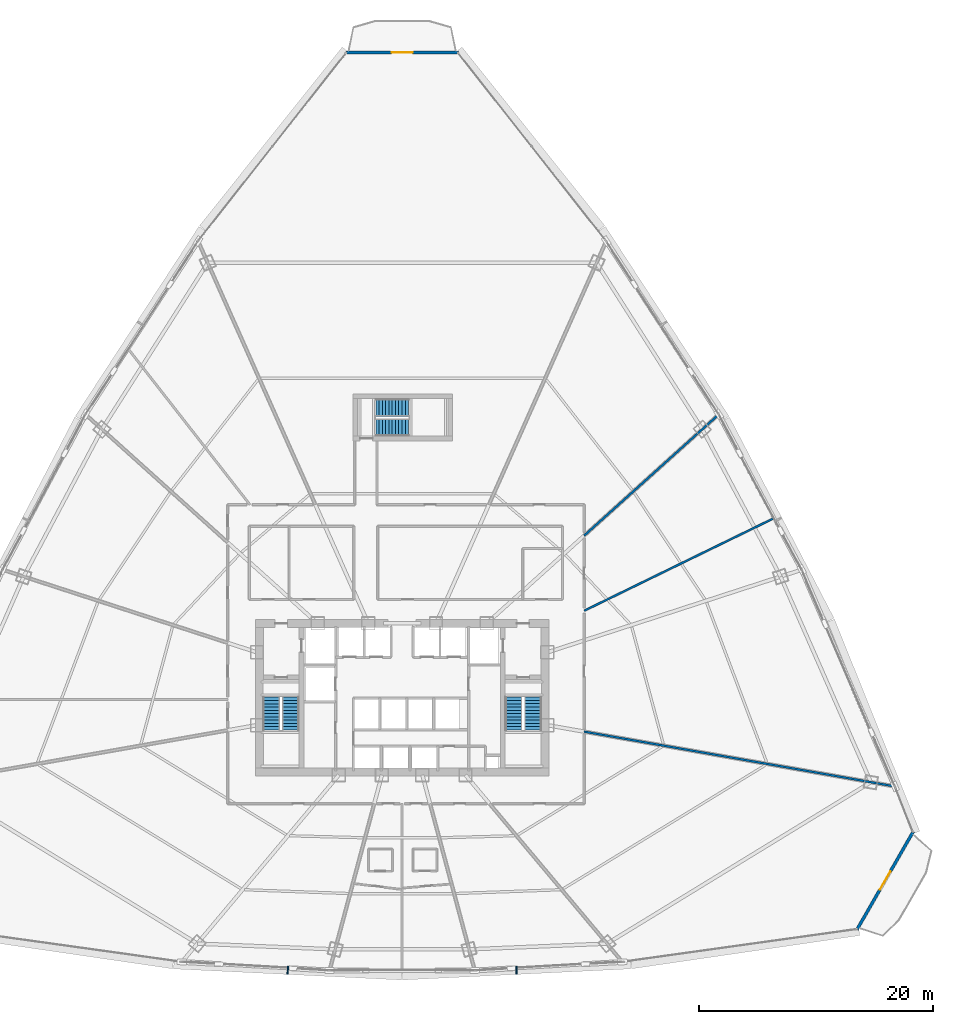
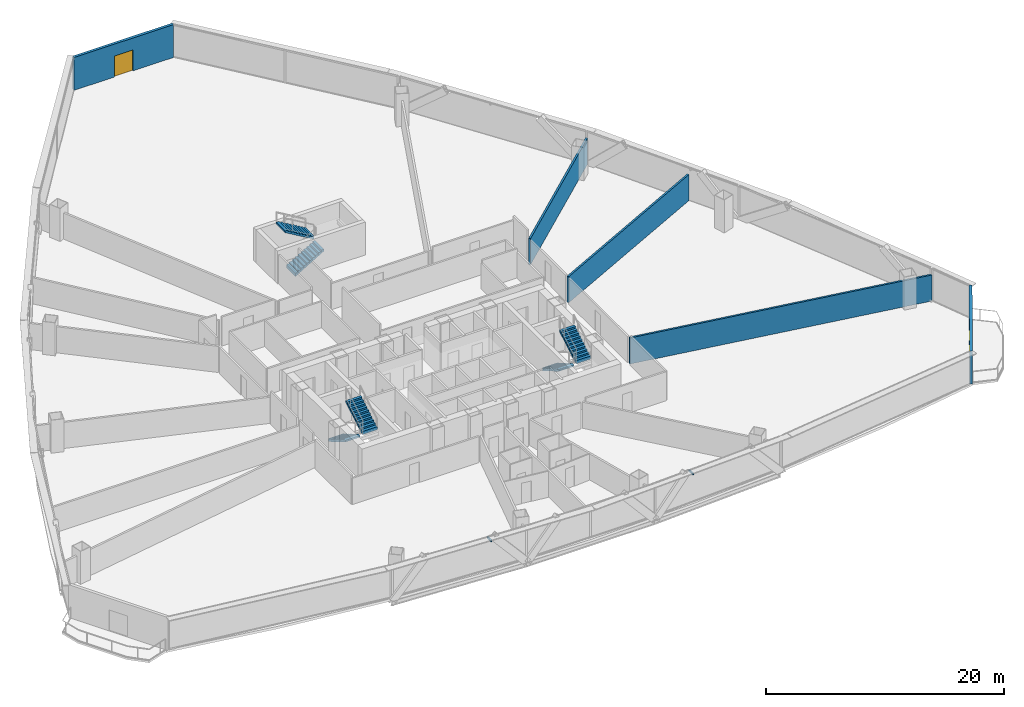
# One storey, part 33 of 38: 6 stair flights, 5 walls, 2 discrete accessories, 2 doors, 2 openings, 3 elements without a shape of their own.
"""IFC4 building model written with IfcOpenShell, lengths in metres."""

from ifc_helpers import new_model, si_unit, direction, frame, frame_2d, origin, origin_with_axes, origin_2d, place, context, subcontext, project, spatial, polyline, rectangle, outline, extrude, source, transform, mapped, material, layer, layer_set, type_object, element, fill, aggregate, save


model = new_model("IFC4")

# Units and contexts
model_context = context("Model", 3, precision=1e-05, world=origin(), true_north=direction((0.0, 1.0)))
body_context = subcontext(model_context, "Body", "Model", "MODEL_VIEW")
ifc_project = project(units=[si_unit("LENGTHUNIT", "METRE"), si_unit("AREAUNIT", "SQUARE_METRE"), si_unit("VOLUMEUNIT", "CUBIC_METRE"), si_unit("PLANEANGLEUNIT", "RADIAN"), si_unit("MASSUNIT", "GRAM", prefix="KILO"), si_unit("THERMODYNAMICTEMPERATUREUNIT", "KELVIN"), si_unit("POWERUNIT", "WATT")], contexts=[model_context])

# Site, building, storey
site_placement = place(None, origin())
site = spatial("IfcSite", under=ifc_project, at=site_placement, CompositionType="ELEMENT")
building_placement = place(site_placement, origin())
building = spatial("IfcBuilding", under=site, at=building_placement, Name="Yunzhuo Pagoda Commons", CompositionType="ELEMENT")
storey_placement = place(building_placement, frame((0.0, 0.0, 34.030029296875)))
storey = spatial("IfcBuildingStorey", under=building, at=storey_placement, Name="L08", CompositionType="ELEMENT", Elevation=34.030029296875)

# Wall, opening, door
ifc_material_1 = material(Name="Precast concrete C40", Category="concrete")
ifc_layer_1 = layer(ifc_material_1, 0.260009765625)
ifc_layer_set_1 = layer_set([ifc_layer_1], Name="Precast concrete C40")
wall_type_1 = type_object("IfcWallType", Name="W-BAL1 Corner Balcony Threshold Wall 260", PredefinedType="STANDARD", material=ifc_layer_set_1)
wall_1_placement = place(storey_placement, frame((86.857666015625, 14.03466796875, 0.0), z_axis=(0.0, 0.0, 1.0), x_axis=(0.497938580997, 0.867212297857, 0.0)))
wall_1 = element("IfcWall", 1, at=wall_1_placement, inside=storey, type_object=wall_type_1, Name="L08 corner balcony wall V2", PredefinedType="STANDARD", context=body_context, shape_type="SweptSolid", body=[
    extrude(rectangle(XDim=9.665771484375, YDim=0.260009765625, at=frame_2d((4.8330078125, 0.0))), origin(), (0.0, 0.0, 1.0), 3.369873046875),
])
opening_1_placement = place(wall_1_placement, frame((3.93310546875, 0.0, 0.0)))
opening_1 = element("IfcOpeningElement", 2, at=opening_1_placement, cuts=wall_1, Name="Opening D-BAL1", PredefinedType="OPENING", context=body_context, shape_type="SweptSolid", body=[
    extrude(rectangle(XDim=1.800048828125, YDim=2.14990234375, at=frame_2d((0.89990234375, 1.074951171875))), frame((0.0, 0.14013671875, 0.0), z_axis=(0.0, -1.0, 0.0), x_axis=(1.0, 0.0, 0.0)), (0.0, 0.0, 1.0), 0.280029296875),
])
ifc_material_2 = material(Name="Anodized aluminium frame and tempered glazed leaf", Category="aluminium")
door_type = type_object("IfcDoorType", Name="D-BAL1 Corner Balcony Sliding Glazed Door 1800x2150", OperationType="DOUBLE_DOOR_SLIDING", PredefinedType="DOOR", material=ifc_material_2)
shared_shape_1 = source(origin(), body_context, "Body", "SweptSolid", [
    extrude(rectangle(XDim=1.800048828125, YDim=2.14990234375, at=frame_2d((0.89990234375, 1.074951171875))), frame((0.0, 0.02490234375, 0.0), z_axis=(0.0, -1.0, 0.0), x_axis=(1.0, 0.0, 0.0)), (0.0, 0.0, 1.0), 0.050048828125),
])
door_1_placement = place(opening_1_placement, origin_with_axes())
door_1 = element("IfcDoor", 3, at=door_1_placement, inside=storey, type_object=door_type, Name="L08 corner balcony sliding door V2", OperationType="DOUBLE_DOOR_SLIDING", OverallHeight=2.14990234375, OverallWidth=1.800048828125, PredefinedType="DOOR", context=body_context, shape_type="MappedRepresentation", body=[
    mapped(shared_shape_1, transform((0.0, 0.0, 0.0), scale=1.0)),
])
fill(opening_1, door_1)

wall_2_placement = place(storey_placement, frame((52.813720703125, 88.980712890625, 0.0), z_axis=(0.0, 0.0, 1.0), x_axis=(-1.0, 0.0, 0.0)))
wall_2 = element("IfcWall", 4, at=wall_2_placement, inside=storey, type_object=wall_type_1, Name="L08 corner balcony wall V3", PredefinedType="STANDARD", context=body_context, shape_type="SweptSolid", body=[
    extrude(rectangle(XDim=9.62744140625, YDim=0.260009765625, at=frame_2d((4.813720703125, 0.0))), origin(), (0.0, 0.0, 1.0), 3.369873046875),
])
opening_2_placement = place(wall_2_placement, frame((3.91357421875, 0.0, 0.0)))
opening_2 = element("IfcOpeningElement", 5, at=opening_2_placement, cuts=wall_2, Name="Opening D-BAL1", PredefinedType="OPENING", context=body_context, shape_type="SweptSolid", body=[
    extrude(rectangle(XDim=1.800048828125, YDim=2.14990234375, at=frame_2d((0.89990234375, 1.074951171875))), frame((0.0, 0.14013671875, 0.0), z_axis=(0.0, -1.0, 0.0), x_axis=(1.0, 0.0, 0.0)), (0.0, 0.0, 1.0), 0.280029296875),
])
door_2_placement = place(opening_2_placement, origin_with_axes())
door_2 = element("IfcDoor", 6, at=door_2_placement, inside=storey, type_object=door_type, Name="L08 corner balcony sliding door V3", OperationType="DOUBLE_DOOR_SLIDING", OverallHeight=2.14990234375, OverallWidth=1.800048828125, PredefinedType="DOOR", context=body_context, shape_type="MappedRepresentation", body=[
    mapped(shared_shape_1, transform((0.0, 0.0, 0.0), scale=1.0)),
])
fill(opening_2, door_2)

# Walls
ifc_material_3 = material(Name="Gypsum plasterboard on acoustic stud")
ifc_layer_2 = layer(ifc_material_3, 0.179931640625)
ifc_layer_set_2 = layer_set([ifc_layer_2], Name="Gypsum plasterboard on acoustic stud")
wall_type_2 = type_object("IfcWallType", Name="W-PRT2 Acoustic Unit Demising Wall 180", PredefinedType="PARTITIONING", material=ifc_layer_set_2)
wall_3_placement = place(storey_placement, frame((63.550048828125, 41.2841796875, 0.0), z_axis=(0.0, 0.0, 1.0), x_axis=(0.898792344086, 0.438374636825, 0.0)))
element("IfcWall", 7, at=wall_3_placement, inside=storey, type_object=wall_type_2, Name="L08 interior wall IW-L08-RAD01", PredefinedType="PARTITIONING", context=body_context, shape_type="SweptSolid", body=[
    extrude(rectangle(XDim=18.064453125, YDim=0.179931640625, at=frame_2d((9.0322265625, 0.0))), origin(), (0.0, 0.0, 1.0), 2.669921875),
])
wall_4_placement = place(storey_placement, frame((63.550048828125, 47.701416015625, 0.0), z_axis=(0.0, 0.0, 1.0), x_axis=(0.743145159556, 0.669130235326, 0.0)))
element("IfcWall", 8, at=wall_4_placement, inside=storey, type_object=wall_type_2, Name="L08 interior wall IW-L08-RAD02", PredefinedType="PARTITIONING", context=body_context, shape_type="SweptSolid", body=[
    extrude(rectangle(XDim=15.4833984375, YDim=0.179931640625, at=frame_2d((7.74169921875, 0.0))), origin(), (0.0, 0.0, 1.0), 2.669921875),
])
wall_5_placement = place(storey_placement, frame((63.550048828125, 30.9580078125, 0.0), z_axis=(0.0, 0.0, 1.0), x_axis=(0.984807983054, -0.17364687303, 0.0)))
element("IfcWall", 9, at=wall_5_placement, inside=storey, type_object=wall_type_2, Name="L08 interior wall IW-L08-RAD14", PredefinedType="PARTITIONING", context=body_context, shape_type="SweptSolid", body=[
    extrude(rectangle(XDim=26.957763671875, YDim=0.179931640625, at=frame_2d((13.47900390625, 0.0))), origin(), (0.0, 0.0, 1.0), 2.669921875),
])

# Stair, stair flights
ifc_material_4 = material(Name="Concrete C40", Category="concrete")
stair_type_1 = type_object("IfcStairType", Name="ST-C1 Core Smokeproof Stair ST1", PredefinedType="HALF_TURN_STAIR", material=ifc_material_4)
stair_1_placement = place(storey_placement, origin())
stair_1 = element("IfcStair", 10, at=stair_1_placement, inside=storey, type_object=stair_type_1, Name="L08 Core smokeproof stair ST1", PredefinedType="HALF_TURN_STAIR")
stair_flight_type_1 = type_object("IfcStairFlightType", Name="STF-C1 Core Stair Flight 1450", PredefinedType="STRAIGHT", material=ifc_material_4)
shared_shape_2 = source(origin(), body_context, "Body", "SweptSolid", [
    extrude(outline(polyline([(0.0, -0.14990234375), (0.0, 0.0), (0.0, 0.1650390625), (0.280029296875, 0.1650390625), (0.280029296875, 0.330078125), (0.56005859375, 0.330078125), (0.56005859375, 0.4951171875), (0.840087890625, 0.4951171875), (0.840087890625, 0.659912109375), (1.1201171875, 0.659912109375), (1.1201171875, 0.824951171875), (1.39990234375, 0.824951171875), (1.39990234375, 0.989990234375), (1.679931640625, 0.989990234375), (1.679931640625, 1.155029296875), (1.9599609375, 1.155029296875), (1.9599609375, 1.320068359375), (2.239990234375, 1.320068359375), (2.239990234375, 1.485107421875), (2.52001953125, 1.485107421875), (2.52001953125, 1.64990234375), (2.800048828125, 1.64990234375), (2.800048828125, 1.81494140625), (2.800048828125, 1.47607421875), (0.295166015625, 0.0), (0.050048828125, -0.14990234375), (0.0, -0.14990234375)])), frame((0.0, 0.72509765625, 0.0), z_axis=(0.0, -1.0, 0.0), x_axis=(1.0, 0.0, 0.0)), (0.0, 0.0, 1.0), 1.449951171875),
])
stair_flight_1_placement = place(storey_placement, frame((36.824951171875, 33.89990234375, 0.0), z_axis=(0.0, 0.0, 1.0), x_axis=(0.0, -1.0, 0.0)))
stair_flight_1 = element("IfcStairFlight", 11, at=stair_flight_1_placement, type_object=stair_flight_type_1, Name="ST1 flight 1", NumberOfRisers=11, NumberOfTreads=10, PredefinedType="STRAIGHT", RiserHeight=0.165, TreadLength=0.28, context=body_context, shape_type="MappedRepresentation", body=[
    mapped(shared_shape_2, transform((0.0, 0.0, 0.0), scale=1.0)),
])
stair_flight_2_placement = place(storey_placement, frame((38.47509765625, 31.10009765625, 1.81494140625), z_axis=(0.0, 0.0, 1.0), x_axis=(0.0, 1.0, 0.0)))
stair_flight_2 = element("IfcStairFlight", 12, at=stair_flight_2_placement, type_object=stair_flight_type_1, Name="ST1 flight 2", NumberOfRisers=11, NumberOfTreads=10, PredefinedType="STRAIGHT", RiserHeight=0.165, TreadLength=0.28, context=body_context, shape_type="MappedRepresentation", body=[
    mapped(shared_shape_2, transform((0.0, 0.0, 0.0), scale=1.0)),
])
aggregate(stair_1, [stair_flight_1, stair_flight_2])

stair_type_2 = type_object("IfcStairType", Name="ST-C2 Core Smokeproof Stair ST2", PredefinedType="HALF_TURN_STAIR", material=ifc_material_4)
stair_2_placement = place(storey_placement, origin())
stair_2 = element("IfcStair", 13, at=stair_2_placement, inside=storey, type_object=stair_type_2, Name="L08 Core smokeproof stair ST2", PredefinedType="HALF_TURN_STAIR")
stair_flight_type_2 = type_object("IfcStairFlightType", Name="STF-C2 Core Stair Flight 1460", PredefinedType="STRAIGHT", material=ifc_material_4)
stair_flight_3_placement = place(storey_placement, frame((57.52490234375, 33.89990234375, 0.0), z_axis=(0.0, 0.0, 1.0), x_axis=(0.0, -1.0, 0.0)))
stair_flight_3 = element("IfcStairFlight", 14, at=stair_flight_3_placement, type_object=stair_flight_type_2, Name="ST2 flight 1", NumberOfRisers=11, NumberOfTreads=10, PredefinedType="STRAIGHT", RiserHeight=0.165, TreadLength=0.28, context=body_context, shape_type="MappedRepresentation", body=[
    mapped(shared_shape_2, transform((0.0, 0.0, 0.0), scale=1.0)),
])
stair_flight_4_placement = place(storey_placement, frame((59.175048828125, 31.10009765625, 1.81494140625), z_axis=(0.0, 0.0, 1.0), x_axis=(0.0, 1.0, 0.0)))
stair_flight_4 = element("IfcStairFlight", 15, at=stair_flight_4_placement, type_object=stair_flight_type_2, Name="ST2 flight 2", NumberOfRisers=11, NumberOfTreads=10, PredefinedType="STRAIGHT", RiserHeight=0.165, TreadLength=0.28, context=body_context, shape_type="MappedRepresentation", body=[
    mapped(shared_shape_2, transform((0.0, 0.0, 0.0), scale=1.0)),
])
aggregate(stair_2, [stair_flight_3, stair_flight_4])

stair_type_3 = type_object("IfcStairType", Name="ST-C3 North Tower Smokeproof Stair ST3", PredefinedType="HALF_TURN_STAIR", material=ifc_material_4)
stair_3_placement = place(storey_placement, origin())
stair_3 = element("IfcStair", 16, at=stair_3_placement, inside=storey, type_object=stair_type_3, Name="L08 North tower smokeproof stair ST3", PredefinedType="HALF_TURN_STAIR")
stair_flight_type_3 = type_object("IfcStairFlightType", Name="STF-C3 North Stair Flight 1500", PredefinedType="STRAIGHT", material=ifc_material_4)
shared_shape_3 = source(origin(), body_context, "Body", "SweptSolid", [
    extrude(outline(polyline([(0.0, -0.14990234375), (0.0, 0.0), (0.0, 0.1650390625), (0.280029296875, 0.1650390625), (0.280029296875, 0.330078125), (0.56005859375, 0.330078125), (0.56005859375, 0.4951171875), (0.840087890625, 0.4951171875), (0.840087890625, 0.659912109375), (1.1201171875, 0.659912109375), (1.1201171875, 0.824951171875), (1.39990234375, 0.824951171875), (1.39990234375, 0.989990234375), (1.679931640625, 0.989990234375), (1.679931640625, 1.155029296875), (1.9599609375, 1.155029296875), (1.9599609375, 1.320068359375), (2.239990234375, 1.320068359375), (2.239990234375, 1.485107421875), (2.52001953125, 1.485107421875), (2.52001953125, 1.64990234375), (2.800048828125, 1.64990234375), (2.800048828125, 1.81494140625), (2.800048828125, 1.47607421875), (0.295166015625, 0.0), (0.050048828125, -0.14990234375), (0.0, -0.14990234375)])), frame((0.0, 0.75, 0.0), z_axis=(0.0, -1.0, 0.0), x_axis=(1.0, 0.0, 0.0)), (0.0, 0.0, 1.0), 1.5),
])
stair_flight_5_placement = place(storey_placement, frame((45.75, 56.949951171875, 0.0), z_axis=(0.0, 0.0, 1.0), x_axis=(1.0, 0.0, 0.0)))
stair_flight_5 = element("IfcStairFlight", 17, at=stair_flight_5_placement, type_object=stair_flight_type_3, Name="ST3 flight 1", NumberOfRisers=11, NumberOfTreads=10, PredefinedType="STRAIGHT", RiserHeight=0.165, TreadLength=0.28, context=body_context, shape_type="MappedRepresentation", body=[
    mapped(shared_shape_3, transform((0.0, 0.0, 0.0), scale=1.0)),
])
stair_flight_6_placement = place(storey_placement, frame((48.550048828125, 58.64990234375, 1.81494140625), z_axis=(0.0, 0.0, 1.0), x_axis=(-1.0, 0.0, 0.0)))
stair_flight_6 = element("IfcStairFlight", 18, at=stair_flight_6_placement, type_object=stair_flight_type_3, Name="ST3 flight 2", NumberOfRisers=11, NumberOfTreads=10, PredefinedType="STRAIGHT", RiserHeight=0.165, TreadLength=0.28, context=body_context, shape_type="MappedRepresentation", body=[
    mapped(shared_shape_3, transform((0.0, 0.0, 0.0), scale=1.0)),
])
aggregate(stair_3, [stair_flight_5, stair_flight_6])

# Discrete accessories
ifc_material_5 = material(Name="Anodized aluminium 6063-T6", Category="aluminium")
discrete_accessory_type = type_object("IfcDiscreteAccessoryType", Name="BK-SUN1 Sunshade Outrigger Bracket", PredefinedType="BRACKET", material=ifc_material_5)
shared_shape_4 = source(origin(), body_context, "Body", "SweptSolid", [
    extrude(rectangle(XDim=0.1201171875, YDim=0.679931640625, at=origin_2d()), origin(), (0.0, 0.0, 1.0), 0.179931640625),
])
for number, where, z_axis, x_axis, name in (
    (19, (38.22900390625, 10.5751953125, 3.16015625), (0.0, 0.0, 1.0), (0.998818043775, -0.04860571396, 0.0), "L08 sunshade outrigger bracket F1.2"),
    (20, (57.77099609375, 10.5751953125, 3.16015625), (0.0, 0.0, 1.0), (0.998818043775, 0.04860571396, 0.0), "L08 sunshade outrigger bracket F1.3"),
):
    element("IfcDiscreteAccessory", number, at=place(storey_placement, frame(where, z_axis=z_axis, x_axis=x_axis)), inside=storey, type_object=discrete_accessory_type, Name=name, PredefinedType="BRACKET", context=body_context, shape_type="MappedRepresentation", body=[
        mapped(shared_shape_4, transform((0.0, 0.0, 0.0), scale=1.0)),
    ])

save(model, "model.ifc")
